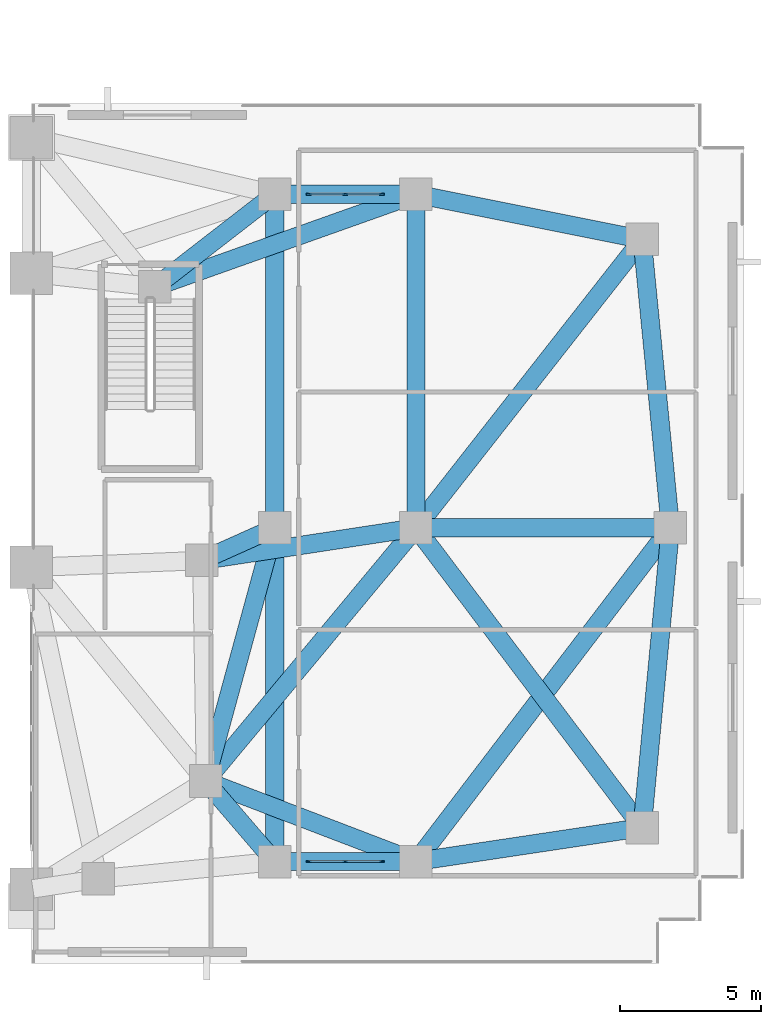
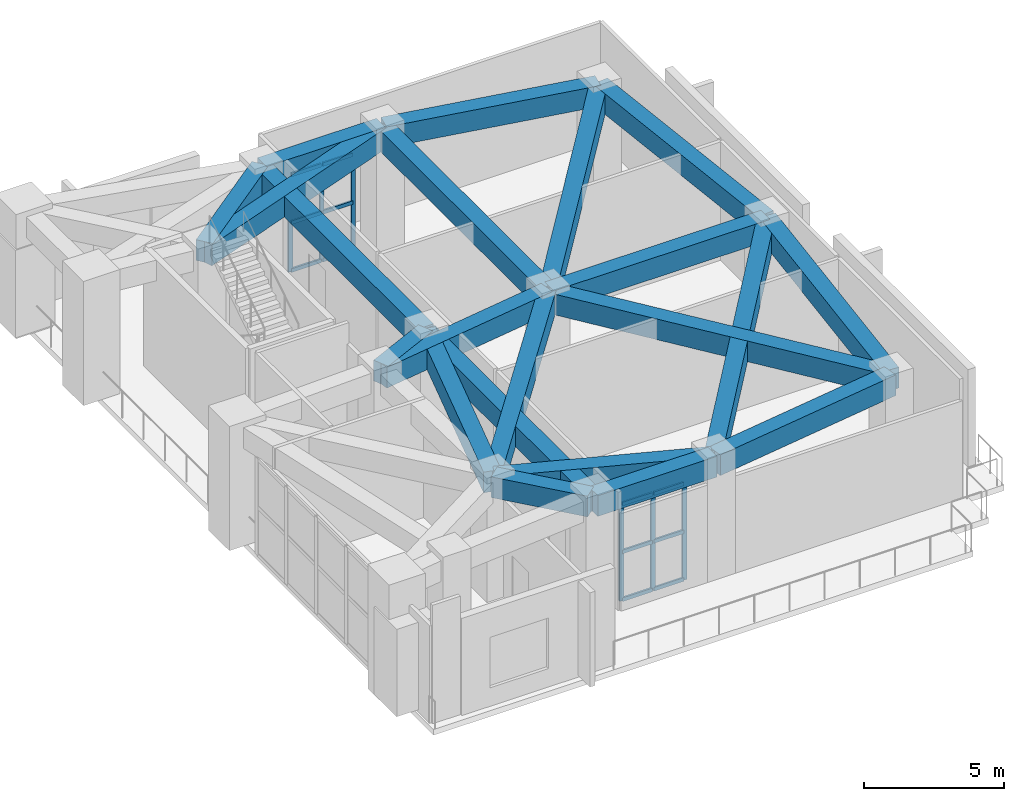
# One storey, part 4 of 18: 21 beams, 18 members, 2 elements without a shape of their own.
"""IFC4 building model written with IfcOpenShell, lengths in metres."""

from ifc_helpers import new_model, si_unit, direction, frame, origin, origin_2d, place, context, subcontext, project, spatial, rectangle, extrude, material, material_profile, profile_set, type_object, element, aggregate, save


model = new_model("IFC4")

# Units and contexts
model_context = context("Model", 3, precision=1e-05, world=origin(), true_north=direction((0.0, 1.0)))
body_context = subcontext(model_context, "Body", "Model", "MODEL_VIEW")
ifc_project = project(units=[si_unit("LENGTHUNIT", "METRE"), si_unit("AREAUNIT", "SQUARE_METRE"), si_unit("VOLUMEUNIT", "CUBIC_METRE"), si_unit("PLANEANGLEUNIT", "RADIAN"), si_unit("MASSUNIT", "GRAM", prefix="KILO")], contexts=[model_context])

# Site, building, storey
site_placement = place(None, origin())
site = spatial("IfcSite", under=ifc_project, at=site_placement, CompositionType="ELEMENT")
building_placement = place(site_placement, origin())
building = spatial("IfcBuilding", under=site, at=building_placement, Name="Gaonmaruhae Medical Tower", CompositionType="ELEMENT")
storey_placement = place(building_placement, frame((0.0, 0.0, 10.800048828125)))
storey = spatial("IfcBuildingStorey", under=building, at=storey_placement, Name="L02", CompositionType="ELEMENT", Elevation=10.800048828125)

# Curtain wall, members
ifc_material_1 = material(Name="Anodised aluminium and Low-E double glazing", Category="aluminium")
curtain_wall_type = type_object("IfcCurtainWallType", Name="CW-S6 Podium Diagnostic Atrium Curtain Wall", PredefinedType="NOTDEFINED", material=ifc_material_1)
curtain_wall_1_placement = place(storey_placement, origin())
curtain_wall_1 = element("IfcCurtainWall", 1, at=curtain_wall_1_placement, inside=storey, type_object=curtain_wall_type, Name="L02 Curtain Wall CW-L02-S6A", PredefinedType="NOTDEFINED")
ifc_material_2 = material(Name="Anodised aluminium 6063-T6", Category="aluminium")
ifc_material_profile_1 = material_profile(ifc_material_2, rectangle(XDim=0.06494140625, YDim=0.179931640625, at=origin_2d()), Name="CWM-65x180")
ifc_profile_set_1 = profile_set([ifc_material_profile_1], Name="Anodised aluminium 6063-T6")
member_type_1 = type_object("IfcMemberType", Name="CWM-2 Tower Feature Curtain Wall Mullion (CWM-65x180)", PredefinedType="MULLION", material=ifc_profile_set_1)
member_1_placement = place(storey_placement, frame((67.40576171875, 27.199951171875, 0.0), z_axis=(0.0, 0.0, 1.0), x_axis=(0.0, 1.0, 0.0)))
member_1 = element("IfcMember", 2, at=member_1_placement, type_object=member_type_1, Name="CW-S6 mullion 1", PredefinedType="MULLION", context=body_context, shape_type="SweptSolid", body=[
    extrude(rectangle(XDim=0.06494140625, YDim=0.179931640625, at=origin_2d()), origin(), (0.0, 0.0, 1.0), 4.22998046875),
])
member_2_placement = place(storey_placement, frame((68.699951171875, 27.199951171875, 0.0), z_axis=(0.0, 0.0, 1.0), x_axis=(0.0, 1.0, 0.0)))
member_2 = element("IfcMember", 3, at=member_2_placement, type_object=member_type_1, Name="CW-S6 mullion 2", PredefinedType="MULLION", context=body_context, shape_type="SweptSolid", body=[
    extrude(rectangle(XDim=0.06494140625, YDim=0.179931640625, at=origin_2d()), origin(), (0.0, 0.0, 1.0), 4.22998046875),
])
member_3_placement = place(storey_placement, frame((69.994384765625, 27.199951171875, 0.0), z_axis=(0.0, 0.0, 1.0), x_axis=(0.0, 1.0, 0.0)))
member_3 = element("IfcMember", 4, at=member_3_placement, type_object=member_type_1, Name="CW-S6 mullion 3", PredefinedType="MULLION", context=body_context, shape_type="SweptSolid", body=[
    extrude(rectangle(XDim=0.06494140625, YDim=0.179931640625, at=origin_2d()), origin(), (0.0, 0.0, 1.0), 4.22998046875),
])

curtain_wall_2_placement = place(storey_placement, origin())
curtain_wall_2 = element("IfcCurtainWall", 5, at=curtain_wall_2_placement, inside=storey, type_object=curtain_wall_type, Name="L02 Curtain Wall CW-L02-S6B", PredefinedType="NOTDEFINED")
member_4_placement = place(storey_placement, frame((67.40576171875, 3.60009765625, 0.0), z_axis=(0.0, 0.0, 1.0), x_axis=(0.0, 1.0, 0.0)))
member_4 = element("IfcMember", 6, at=member_4_placement, type_object=member_type_1, Name="CW-S6 mullion 1", PredefinedType="MULLION", context=body_context, shape_type="SweptSolid", body=[
    extrude(rectangle(XDim=0.06494140625, YDim=0.179931640625, at=origin_2d()), origin(), (0.0, 0.0, 1.0), 4.22998046875),
])
member_5_placement = place(storey_placement, frame((68.699951171875, 3.60009765625, 0.0), z_axis=(0.0, 0.0, 1.0), x_axis=(0.0, 1.0, 0.0)))
member_5 = element("IfcMember", 7, at=member_5_placement, type_object=member_type_1, Name="CW-S6 mullion 2", PredefinedType="MULLION", context=body_context, shape_type="SweptSolid", body=[
    extrude(rectangle(XDim=0.06494140625, YDim=0.179931640625, at=origin_2d()), origin(), (0.0, 0.0, 1.0), 4.22998046875),
])
member_6_placement = place(storey_placement, frame((69.994384765625, 3.60009765625, 0.0), z_axis=(0.0, 0.0, 1.0), x_axis=(0.0, 1.0, 0.0)))
member_6 = element("IfcMember", 8, at=member_6_placement, type_object=member_type_1, Name="CW-S6 mullion 3", PredefinedType="MULLION", context=body_context, shape_type="SweptSolid", body=[
    extrude(rectangle(XDim=0.06494140625, YDim=0.179931640625, at=origin_2d()), origin(), (0.0, 0.0, 1.0), 4.22998046875),
])

# Member
ifc_material_profile_2 = material_profile(ifc_material_2, rectangle(XDim=0.074951171875, YDim=0.159912109375, at=origin_2d()), Name="CWT-75x160")
ifc_profile_set_2 = profile_set([ifc_material_profile_2], Name="Anodised aluminium 6063-T6")
member_type_2 = type_object("IfcMemberType", Name="CWT-1 Heavy Atrium Curtain Wall Transom (CWT-75x160)", PredefinedType="USERDEFINED", material=ifc_profile_set_2)
member_7_placement = place(storey_placement, frame((67.438232421875, 27.199951171875, 0.037353515625), z_axis=(1.0, 0.0, 0.0), x_axis=(0.0, 1.0, 0.0)))
member_7 = element("IfcMember", 9, at=member_7_placement, type_object=member_type_2, Name="CW-S6 transom 1.1", ObjectType="TRANSOM", PredefinedType="USERDEFINED", context=body_context, shape_type="SweptSolid", body=[
    extrude(rectangle(XDim=0.074951171875, YDim=0.159912109375, at=origin_2d()), origin(), (0.0, 0.0, 1.0), 1.229248046875),
])

member_8_placement = place(storey_placement, frame((67.438232421875, 27.199951171875, 2.114990234375), z_axis=(1.0, 0.0, 0.0), x_axis=(0.0, 1.0, 0.0)))
member_8 = element("IfcMember", 10, at=member_8_placement, type_object=member_type_2, Name="CW-S6 transom 1.2", ObjectType="TRANSOM", PredefinedType="USERDEFINED", context=body_context, shape_type="SweptSolid", body=[
    extrude(rectangle(XDim=0.074951171875, YDim=0.159912109375, at=origin_2d()), origin(), (0.0, 0.0, 1.0), 1.229248046875),
])

member_9_placement = place(storey_placement, frame((67.438232421875, 27.199951171875, 4.1923828125), z_axis=(1.0, 0.0, 0.0), x_axis=(0.0, 1.0, 0.0)))
member_9 = element("IfcMember", 11, at=member_9_placement, type_object=member_type_2, Name="CW-S6 transom 1.3", ObjectType="TRANSOM", PredefinedType="USERDEFINED", context=body_context, shape_type="SweptSolid", body=[
    extrude(rectangle(XDim=0.074951171875, YDim=0.159912109375, at=origin_2d()), origin(), (0.0, 0.0, 1.0), 1.229248046875),
])

member_10_placement = place(storey_placement, frame((68.732421875, 27.199951171875, 0.037353515625), z_axis=(1.0, 0.0, 0.0), x_axis=(0.0, 1.0, 0.0)))
member_10 = element("IfcMember", 12, at=member_10_placement, type_object=member_type_2, Name="CW-S6 transom 2.1", ObjectType="TRANSOM", PredefinedType="USERDEFINED", context=body_context, shape_type="SweptSolid", body=[
    extrude(rectangle(XDim=0.074951171875, YDim=0.159912109375, at=origin_2d()), origin(), (0.0, 0.0, 1.0), 1.2294921875),
])

member_11_placement = place(storey_placement, frame((68.732421875, 27.199951171875, 2.114990234375), z_axis=(1.0, 0.0, 0.0), x_axis=(0.0, 1.0, 0.0)))
member_11 = element("IfcMember", 13, at=member_11_placement, type_object=member_type_2, Name="CW-S6 transom 2.2", ObjectType="TRANSOM", PredefinedType="USERDEFINED", context=body_context, shape_type="SweptSolid", body=[
    extrude(rectangle(XDim=0.074951171875, YDim=0.159912109375, at=origin_2d()), origin(), (0.0, 0.0, 1.0), 1.2294921875),
])

member_12_placement = place(storey_placement, frame((68.732421875, 27.199951171875, 4.1923828125), z_axis=(1.0, 0.0, 0.0), x_axis=(0.0, 1.0, 0.0)))
member_12 = element("IfcMember", 14, at=member_12_placement, type_object=member_type_2, Name="CW-S6 transom 2.3", ObjectType="TRANSOM", PredefinedType="USERDEFINED", context=body_context, shape_type="SweptSolid", body=[
    extrude(rectangle(XDim=0.074951171875, YDim=0.159912109375, at=origin_2d()), origin(), (0.0, 0.0, 1.0), 1.2294921875),
])

aggregate(curtain_wall_1, [member_1, member_2, member_3, member_7, member_8, member_9, member_10, member_11, member_12])

member_13_placement = place(storey_placement, frame((67.438232421875, 3.60009765625, 0.037353515625), z_axis=(1.0, 0.0, 0.0), x_axis=(0.0, 1.0, 0.0)))
member_13 = element("IfcMember", 15, at=member_13_placement, type_object=member_type_2, Name="CW-S6 transom 1.1", ObjectType="TRANSOM", PredefinedType="USERDEFINED", context=body_context, shape_type="SweptSolid", body=[
    extrude(rectangle(XDim=0.074951171875, YDim=0.159912109375, at=origin_2d()), origin(), (0.0, 0.0, 1.0), 1.229248046875),
])

member_14_placement = place(storey_placement, frame((67.438232421875, 3.60009765625, 2.114990234375), z_axis=(1.0, 0.0, 0.0), x_axis=(0.0, 1.0, 0.0)))
member_14 = element("IfcMember", 16, at=member_14_placement, type_object=member_type_2, Name="CW-S6 transom 1.2", ObjectType="TRANSOM", PredefinedType="USERDEFINED", context=body_context, shape_type="SweptSolid", body=[
    extrude(rectangle(XDim=0.074951171875, YDim=0.159912109375, at=origin_2d()), origin(), (0.0, 0.0, 1.0), 1.229248046875),
])

member_15_placement = place(storey_placement, frame((67.438232421875, 3.60009765625, 4.1923828125), z_axis=(1.0, 0.0, 0.0), x_axis=(0.0, 1.0, 0.0)))
member_15 = element("IfcMember", 17, at=member_15_placement, type_object=member_type_2, Name="CW-S6 transom 1.3", ObjectType="TRANSOM", PredefinedType="USERDEFINED", context=body_context, shape_type="SweptSolid", body=[
    extrude(rectangle(XDim=0.074951171875, YDim=0.159912109375, at=origin_2d()), origin(), (0.0, 0.0, 1.0), 1.229248046875),
])

member_16_placement = place(storey_placement, frame((68.732421875, 3.60009765625, 0.037353515625), z_axis=(1.0, 0.0, 0.0), x_axis=(0.0, 1.0, 0.0)))
member_16 = element("IfcMember", 18, at=member_16_placement, type_object=member_type_2, Name="CW-S6 transom 2.1", ObjectType="TRANSOM", PredefinedType="USERDEFINED", context=body_context, shape_type="SweptSolid", body=[
    extrude(rectangle(XDim=0.074951171875, YDim=0.159912109375, at=origin_2d()), origin(), (0.0, 0.0, 1.0), 1.2294921875),
])

member_17_placement = place(storey_placement, frame((68.732421875, 3.60009765625, 2.114990234375), z_axis=(1.0, 0.0, 0.0), x_axis=(0.0, 1.0, 0.0)))
member_17 = element("IfcMember", 19, at=member_17_placement, type_object=member_type_2, Name="CW-S6 transom 2.2", ObjectType="TRANSOM", PredefinedType="USERDEFINED", context=body_context, shape_type="SweptSolid", body=[
    extrude(rectangle(XDim=0.074951171875, YDim=0.159912109375, at=origin_2d()), origin(), (0.0, 0.0, 1.0), 1.2294921875),
])

member_18_placement = place(storey_placement, frame((68.732421875, 3.60009765625, 4.1923828125), z_axis=(1.0, 0.0, 0.0), x_axis=(0.0, 1.0, 0.0)))
member_18 = element("IfcMember", 20, at=member_18_placement, type_object=member_type_2, Name="CW-S6 transom 2.3", ObjectType="TRANSOM", PredefinedType="USERDEFINED", context=body_context, shape_type="SweptSolid", body=[
    extrude(rectangle(XDim=0.074951171875, YDim=0.159912109375, at=origin_2d()), origin(), (0.0, 0.0, 1.0), 1.2294921875),
])

aggregate(curtain_wall_2, [member_4, member_5, member_6, member_13, member_14, member_15, member_16, member_17, member_18])

# Beams
ifc_material_3 = material(Name="Concrete C50/60", Category="concrete")
ifc_material_profile_3 = material_profile(ifc_material_3, rectangle(XDim=0.64990234375, YDim=0.89990234375, at=origin_2d()), Name="RCG-650x900")
ifc_profile_set_3 = profile_set([ifc_material_profile_3], Name="Concrete C50/60")
beam_type = type_object("IfcBeamType", Name="RG-01 Podium Primary RC Girder (RCG-650x900)", PredefinedType="BEAM", material=ifc_profile_set_3)
beam_1_placement = place(storey_placement, frame((63.791015625, 6.409423828125, 4.699951171875), z_axis=(0.650934547186, -0.759133858604, 0.0), x_axis=(0.759133858604, 0.650934547186, 0.0)))
element("IfcBeam", 21, at=beam_1_placement, inside=storey, type_object=beam_type, Name="L02 Beam BM-L02-PG025", PredefinedType="BEAM", context=body_context, shape_type="SweptSolid", body=[
    extrude(rectangle(XDim=0.64990234375, YDim=0.89990234375, at=origin_2d()), origin(), (0.0, 0.0, 1.0), 3.65087890625),
])
beam_2_placement = place(storey_placement, frame((63.6748046875, 14.266845703125, 4.699951171875), z_axis=(0.912331175538, 0.409453081735, 0.0), x_axis=(-0.409453081735, 0.912331175538, 0.0)))
element("IfcBeam", 22, at=beam_2_placement, inside=storey, type_object=beam_type, Name="L02 Beam BM-L02-PG027", PredefinedType="BEAM", context=body_context, shape_type="SweptSolid", body=[
    extrude(rectangle(XDim=0.64990234375, YDim=0.89990234375, at=origin_2d()), origin(), (0.0, 0.0, 1.0), 2.7177734375),
])
beam_3_placement = place(storey_placement, frame((63.678466796875, 14.25390625, 4.699951171875), z_axis=(0.988587276062, 0.150649253596, 0.0), x_axis=(-0.150649253596, 0.988587276062, 0.0)))
element("IfcBeam", 23, at=beam_3_placement, inside=storey, type_object=beam_type, Name="L02 Beam BM-L02-PG028", PredefinedType="BEAM", context=body_context, shape_type="SweptSolid", body=[
    extrude(rectangle(XDim=0.64990234375, YDim=0.89990234375, at=origin_2d()), origin(), (0.0, 0.0, 1.0), 7.558349609375),
])
beam_4_placement = place(storey_placement, frame((62.008056640625, 23.950927734375, 4.699951171875), z_axis=(0.790374549581, 0.612623923279, 0.0), x_axis=(-0.612623923279, 0.790374549581, 0.0)))
element("IfcBeam", 24, at=beam_4_placement, inside=storey, type_object=beam_type, Name="L02 Beam BM-L02-PG029", PredefinedType="BEAM", context=body_context, shape_type="SweptSolid", body=[
    extrude(rectangle(XDim=0.64990234375, YDim=0.89990234375, at=origin_2d()), origin(), (0.0, 0.0, 1.0), 5.253662109375),
])
beam_5_placement = place(storey_placement, frame((62.015625, 23.93701171875, 4.699951171875), z_axis=(0.942294313395, 0.334785643275, 0.0), x_axis=(-0.334785643275, 0.942294313395, 0.0)))
element("IfcBeam", 25, at=beam_5_placement, inside=storey, type_object=beam_type, Name="L02 Beam BM-L02-PG030", PredefinedType="BEAM", context=body_context, shape_type="SweptSolid", body=[
    extrude(rectangle(XDim=0.64990234375, YDim=0.89990234375, at=origin_2d()), origin(), (0.0, 0.0, 1.0), 9.69677734375),
])
beam_6_placement = place(storey_placement, frame((66.25, 3.60009765625, 4.699951171875), z_axis=(1.0, 0.0, 0.0), x_axis=(0.0, 1.0, 0.0)))
element("IfcBeam", 26, at=beam_6_placement, inside=storey, type_object=beam_type, Name="L02 Beam BM-L02-PG058", PredefinedType="BEAM", context=body_context, shape_type="SweptSolid", body=[
    extrude(rectangle(XDim=0.64990234375, YDim=0.89990234375, at=origin_2d()), origin(), (0.0, 0.0, 1.0), 4.89990234375),
])
beam_7_placement = place(storey_placement, frame((66.199951171875, 3.64990234375, 4.699951171875), z_axis=(0.0, 1.0, 0.0), x_axis=(-1.0, 0.0, 0.0)))
element("IfcBeam", 27, at=beam_7_placement, inside=storey, type_object=beam_type, Name="L02 Beam BM-L02-PG059", PredefinedType="BEAM", context=body_context, shape_type="SweptSolid", body=[
    extrude(rectangle(XDim=0.64990234375, YDim=0.89990234375, at=origin_2d()), origin(), (0.0, 0.0, 1.0), 11.7001953125),
])
beam_8_placement = place(storey_placement, frame((71.1533203125, 3.617919921875, 4.699951171875), z_axis=(-0.933959250305, 0.357379516438, 0.0), x_axis=(-0.357379516438, -0.933959250305, 0.0)))
element("IfcBeam", 28, at=beam_8_placement, inside=storey, type_object=beam_type, Name="L02 Beam BM-L02-PG060", PredefinedType="BEAM", context=body_context, shape_type="SweptSolid", body=[
    extrude(rectangle(XDim=0.64990234375, YDim=0.89990234375, at=origin_2d()), origin(), (0.0, 0.0, 1.0), 7.86767578125),
])
beam_9_placement = place(storey_placement, frame((71.24951171875, 3.607421875, 4.699951171875), z_axis=(0.988938370032, 0.148327004546, 0.0), x_axis=(-0.148327004546, 0.988938370032, 0.0)))
element("IfcBeam", 29, at=beam_9_placement, inside=storey, type_object=beam_type, Name="L02 Beam BM-L02-PG061", PredefinedType="BEAM", context=body_context, shape_type="SweptSolid", body=[
    extrude(rectangle(XDim=0.64990234375, YDim=0.89990234375, at=origin_2d()), origin(), (0.0, 0.0, 1.0), 7.989501953125),
])
beam_10_placement = place(storey_placement, frame((66.186767578125, 15.351806640625, 4.699951171875), z_axis=(-0.263119656269, -0.964763207469, 0.0), x_axis=(0.964763207469, -0.263119656269, 0.0)))
element("IfcBeam", 30, at=beam_10_placement, inside=storey, type_object=beam_type, Name="L02 Beam BM-L02-PG062", PredefinedType="BEAM", context=body_context, shape_type="SweptSolid", body=[
    extrude(rectangle(XDim=0.64990234375, YDim=0.89990234375, at=origin_2d()), origin(), (0.0, 0.0, 1.0), 9.179443359375),
])
beam_11_placement = place(storey_placement, frame((66.199951171875, 15.449951171875, 4.699951171875), z_axis=(0.0, 1.0, 0.0), x_axis=(-1.0, 0.0, 0.0)))
element("IfcBeam", 31, at=beam_11_placement, inside=storey, type_object=beam_type, Name="L02 Beam BM-L02-PG063", PredefinedType="BEAM", context=body_context, shape_type="SweptSolid", body=[
    extrude(rectangle(XDim=0.64990234375, YDim=0.89990234375, at=origin_2d()), origin(), (0.0, 0.0, 1.0), 11.699951171875),
])
beam_12_placement = place(storey_placement, frame((71.25, 15.39990234375, 4.699951171875), z_axis=(1.0, 0.0, 0.0), x_axis=(0.0, 1.0, 0.0)))
element("IfcBeam", 32, at=beam_12_placement, inside=storey, type_object=beam_type, Name="L02 Beam BM-L02-PG064", PredefinedType="BEAM", context=body_context, shape_type="SweptSolid", body=[
    extrude(rectangle(XDim=0.64990234375, YDim=0.89990234375, at=origin_2d()), origin(), (0.0, 0.0, 1.0), 8.89990234375),
])
beam_13_placement = place(storey_placement, frame((71.16796875, 15.361572265625, 4.699951171875), z_axis=(-0.639224730156, -0.76901998957, 0.0), x_axis=(0.76901998957, -0.639224730156, 0.0)))
element("IfcBeam", 33, at=beam_13_placement, inside=storey, type_object=beam_type, Name="L02 Beam BM-L02-PG065", PredefinedType="BEAM", context=body_context, shape_type="SweptSolid", body=[
    extrude(rectangle(XDim=0.64990234375, YDim=0.89990234375, at=origin_2d()), origin(), (0.0, 0.0, 1.0), 11.54150390625),
])
beam_14_placement = place(storey_placement, frame((66.25, 27.199951171875, 4.699951171875), z_axis=(1.0, 0.0, 0.0), x_axis=(0.0, 1.0, 0.0)))
element("IfcBeam", 34, at=beam_14_placement, inside=storey, type_object=beam_type, Name="L02 Beam BM-L02-PG066", PredefinedType="BEAM", context=body_context, shape_type="SweptSolid", body=[
    extrude(rectangle(XDim=0.64990234375, YDim=0.89990234375, at=origin_2d()), origin(), (0.0, 0.0, 1.0), 4.89990234375),
])
beam_15_placement = place(storey_placement, frame((71.2490234375, 27.190185546875, 4.699951171875), z_axis=(0.98058184093, -0.196110308853, 0.0), x_axis=(0.196110308853, 0.98058184093, 0.0)))
element("IfcBeam", 35, at=beam_15_placement, inside=storey, type_object=beam_type, Name="L02 Beam BM-L02-PG068", PredefinedType="BEAM", context=body_context, shape_type="SweptSolid", body=[
    extrude(rectangle(XDim=0.64990234375, YDim=0.89990234375, at=origin_2d()), origin(), (0.0, 0.0, 1.0), 8.058349609375),
])
beam_16_placement = place(storey_placement, frame((71.199951171875, 27.14990234375, 4.699951171875), z_axis=(0.0, -1.0, 0.0), x_axis=(1.0, 0.0, 0.0)))
element("IfcBeam", 36, at=beam_16_placement, inside=storey, type_object=beam_type, Name="L02 Beam BM-L02-PG069", PredefinedType="BEAM", context=body_context, shape_type="SweptSolid", body=[
    extrude(rectangle(XDim=0.64990234375, YDim=0.89990234375, at=origin_2d()), origin(), (0.0, 0.0, 1.0), 11.699951171875),
])
beam_17_placement = place(storey_placement, frame((79.20458984375, 4.849853515625, 4.699951171875), z_axis=(0.093932984059, 0.995578522521, 0.0), x_axis=(-0.995578522521, 0.093932984059, 0.0)))
element("IfcBeam", 37, at=beam_17_placement, inside=storey, type_object=beam_type, Name="L02 Beam BM-L02-PG070", PredefinedType="BEAM", context=body_context, shape_type="SweptSolid", body=[
    extrude(rectangle(XDim=0.64990234375, YDim=0.89990234375, at=origin_2d()), origin(), (0.0, 0.0, 1.0), 10.547119140625),
])
beam_18_placement = place(storey_placement, frame((79.169921875, 4.83984375, 4.699951171875), z_axis=(-0.602400893863, 0.798193687693, 0.0), x_axis=(-0.798193687693, -0.602400893863, 0.0)))
element("IfcBeam", 38, at=beam_18_placement, inside=storey, type_object=beam_type, Name="L02 Beam BM-L02-PG071", PredefinedType="BEAM", context=body_context, shape_type="SweptSolid", body=[
    extrude(rectangle(XDim=0.64990234375, YDim=0.89990234375, at=origin_2d()), origin(), (0.0, 0.0, 1.0), 13.18017578125),
])
beam_19_placement = place(storey_placement, frame((80.195068359375, 15.44970703125, 4.699951171875), z_axis=(-0.097569555279, 0.995228708329, 0.0), x_axis=(-0.995228708329, -0.097569555279, 0.0)))
element("IfcBeam", 39, at=beam_19_placement, inside=storey, type_object=beam_type, Name="L02 Beam BM-L02-PG072", PredefinedType="BEAM", context=body_context, shape_type="SweptSolid", body=[
    extrude(rectangle(XDim=0.64990234375, YDim=0.89990234375, at=origin_2d()), origin(), (0.0, 0.0, 1.0), 10.14892578125),
])
beam_20_placement = place(storey_placement, frame((80.169677734375, 15.3603515625, 4.699951171875), z_axis=(-0.606446336319, -0.79512441867, 0.0), x_axis=(0.79512441867, -0.606446336319, 0.0)))
element("IfcBeam", 40, at=beam_20_placement, inside=storey, type_object=beam_type, Name="L02 Beam BM-L02-PG073", PredefinedType="BEAM", context=body_context, shape_type="SweptSolid", body=[
    extrude(rectangle(XDim=0.64990234375, YDim=0.89990234375, at=origin_2d()), origin(), (0.0, 0.0, 1.0), 14.74072265625),
])
beam_21_placement = place(storey_placement, frame((79.169189453125, 25.560546875, 4.699951171875), z_axis=(-0.617145695681, -0.786848899282, 0.0), x_axis=(0.786848899282, -0.617145695681, 0.0)))
element("IfcBeam", 41, at=beam_21_placement, inside=storey, type_object=beam_type, Name="L02 Beam BM-L02-PG074", PredefinedType="BEAM", context=body_context, shape_type="SweptSolid", body=[
    extrude(rectangle(XDim=0.64990234375, YDim=0.89990234375, at=origin_2d()), origin(), (0.0, 0.0, 1.0), 12.86279296875),
])

save(model, "model.ifc")
